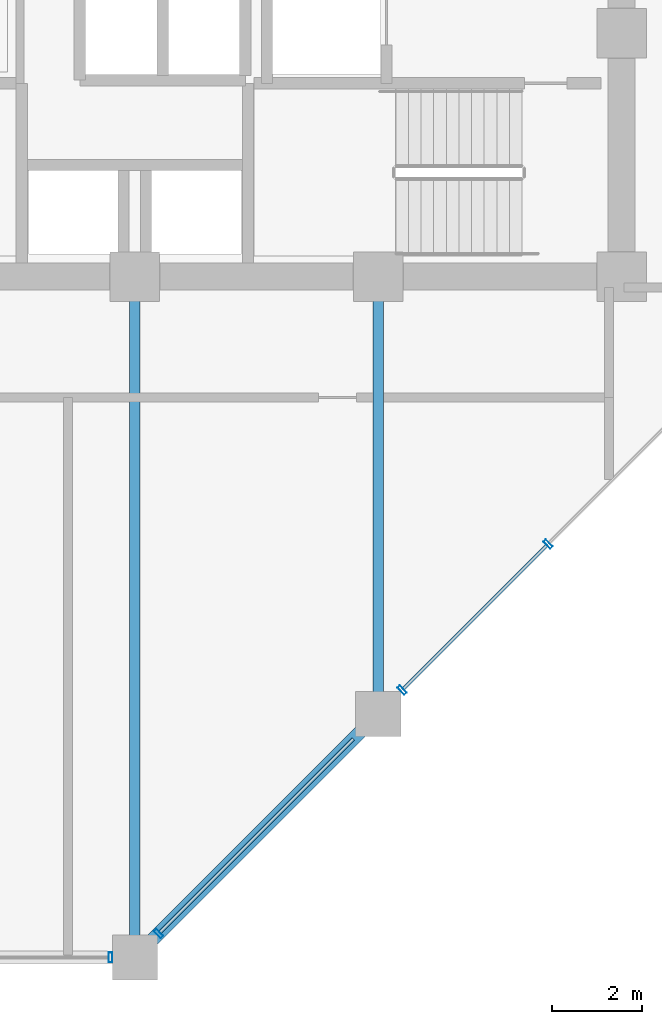
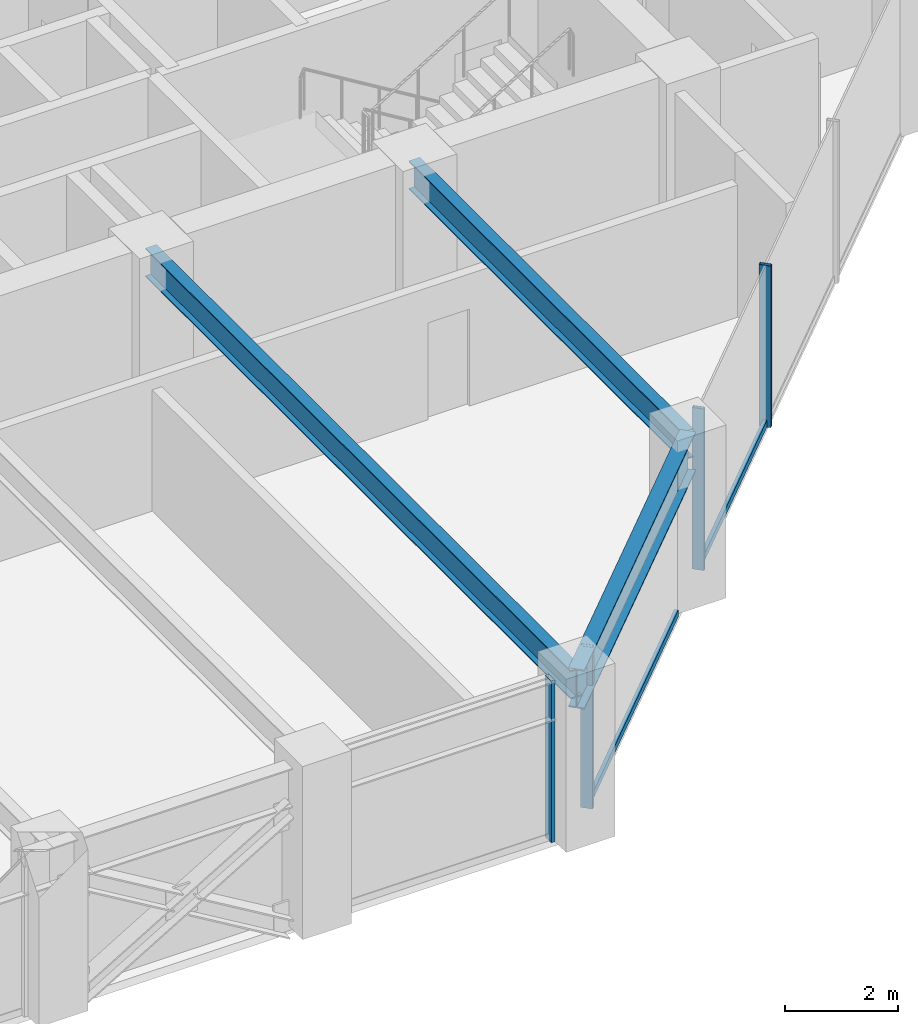
# One storey, part 7 of 29: 6 members, 3 beams, 2 elements without a shape of their own.
"""IFC4 building model written with IfcOpenShell, lengths in metres."""

from ifc_helpers import new_model, si_unit, direction, frame, origin, origin_2d, place, context, subcontext, project, spatial, hollow_rectangle, i_section, extrude, material, layer, layer_set, material_profile, profile_set, type_object, element, aggregate, save


model = new_model("IFC4")

# Units and contexts
model_context = context("Model", 3, precision=1e-05, world=origin(), true_north=direction((0.0, 1.0)))
body_context = subcontext(model_context, "Body", "Model", "MODEL_VIEW")
ifc_project = project(units=[si_unit("LENGTHUNIT", "METRE"), si_unit("AREAUNIT", "SQUARE_METRE"), si_unit("VOLUMEUNIT", "CUBIC_METRE"), si_unit("PLANEANGLEUNIT", "RADIAN"), si_unit("MASSUNIT", "GRAM", prefix="KILO")], contexts=[model_context])

# Site, building, storey
site_placement = place(None, origin())
site = spatial("IfcSite", under=ifc_project, at=site_placement, CompositionType="ELEMENT")
building_placement = place(site_placement, origin())
building = spatial("IfcBuilding", under=site, at=building_placement, Name="Surkhivell Harbour Commons", CompositionType="ELEMENT")
storey_placement = place(building_placement, frame((0.0, 0.0, 158.25)))
storey = spatial("IfcBuildingStorey", under=building, at=storey_placement, Name="L41", CompositionType="ELEMENT", Elevation=158.25)

# Beams
ifc_material_1 = material(Name="Steel S355", Category="steel")
ifc_material_profile_1 = material_profile(ifc_material_1, i_section(OverallWidth=0.22998046875, OverallDepth=0.616943359375, WebThickness=0.01318359375, FlangeThickness=0.022216796875, at=origin_2d()), Name="UB610x229x140")
ifc_profile_set_1 = profile_set([ifc_material_profile_1], Name="Steel S355")
beam_type_1 = type_object("IfcBeamType", Name="BM-GRD-610B", PredefinedType="BEAM", material=ifc_profile_set_1)
beam_1_placement = place(storey_placement, frame((0.0, -25.89990234375, 3.19140625), z_axis=(0.0, 1.0, 0.0), x_axis=(-1.0, 0.0, 0.0)))
element("IfcBeam", 1, at=beam_1_placement, inside=storey, type_object=beam_type_1, Name="L41 Floor Girder (0.0,-25.9)", PredefinedType="BEAM", context=body_context, shape_type="SweptSolid", body=[
    extrude(i_section(OverallWidth=0.22998046875, OverallDepth=0.616943359375, WebThickness=0.01318359375, FlangeThickness=0.022216796875, at=origin_2d()), origin(), (0.0, 0.0, 1.0), 15.099853515625),
])
beam_2_placement = place(storey_placement, frame((5.39990234375, -20.5, 3.19140625), z_axis=(0.0, 1.0, 0.0), x_axis=(-1.0, 0.0, 0.0)))
element("IfcBeam", 2, at=beam_2_placement, inside=storey, type_object=beam_type_1, Name="L41 Floor Girder (5.4,-20.5)", PredefinedType="BEAM", context=body_context, shape_type="SweptSolid", body=[
    extrude(i_section(OverallWidth=0.22998046875, OverallDepth=0.616943359375, WebThickness=0.01318359375, FlangeThickness=0.022216796875, at=origin_2d()), origin(), (0.0, 0.0, 1.0), 9.699951171875),
])
ifc_material_2 = material(Name="Steel S460", Category="steel")
ifc_material_profile_2 = material_profile(ifc_material_2, i_section(OverallWidth=0.2939453125, OverallDepth=0.85107421875, WebThickness=0.01611328125, FlangeThickness=0.02685546875, at=origin_2d()), Name="UB838x292x226")
ifc_profile_set_2 = profile_set([ifc_material_profile_2], Name="Steel S460")
beam_type_2 = type_object("IfcBeamType", Name="BM-SPN-838", PredefinedType="SPANDREL", material=ifc_profile_set_2)
beam_3_placement = place(storey_placement, frame((0.0, -25.89990234375, 3.074462890625), z_axis=(0.707106781187, 0.707106781187, 0.0), x_axis=(-0.707106781187, 0.707106781187, 0.0)))
element("IfcBeam", 3, at=beam_3_placement, inside=storey, type_object=beam_type_2, Name="L41 Tube Spandrel (-0.0,-25.9)", PredefinedType="SPANDREL", context=body_context, shape_type="SweptSolid", body=[
    extrude(i_section(OverallWidth=0.2939453125, OverallDepth=0.85107421875, WebThickness=0.01611328125, FlangeThickness=0.02685546875, at=origin_2d()), origin(), (0.0, 0.0, 1.0), 7.63671875),
])

# Curtain wall, member
ifc_material_3 = material(Name="Anodised pale-metal aluminium and insulated glazing", Category="aluminium")
ifc_layer = layer(ifc_material_3, 0.205078125)
ifc_layer_set = layer_set([ifc_layer], Name="Anodised pale-metal aluminium and insulated glazing")
curtain_wall_type = type_object("IfcCurtainWallType", Name="CW-SYS-Z2", PredefinedType="NOTDEFINED", material=ifc_layer_set)
curtain_wall_1_placement = place(storey_placement, origin())
curtain_wall_1 = element("IfcCurtainWall", 4, at=curtain_wall_1_placement, inside=storey, type_object=curtain_wall_type, Name="L41 Curtain Wall CW-L41-E00S2", PredefinedType="NOTDEFINED")
ifc_material_4 = material(Name="Anodised pale-metal aluminium alloy 6063-T6", Category="aluminium")
ifc_material_profile_3 = material_profile(ifc_material_4, hollow_rectangle(XDim=0.074951171875, YDim=0.219970703125, WallThickness=0.00390625, at=origin_2d()), Name="ALU-MULL-75x220")
ifc_profile_set_3 = profile_set([ifc_material_profile_3], Name="Anodised pale-metal aluminium alloy 6063-T6")
member_type_1 = type_object("IfcMemberType", Name="CWM-220", PredefinedType="MULLION", material=ifc_profile_set_3)
member_1_placement = place(storey_placement, frame((-0.53955078125, -25.89990234375, 0.0), z_axis=(0.0, 0.0, 1.0), x_axis=(1.0, 0.0, 0.0)))
member_1 = element("IfcMember", 5, at=member_1_placement, type_object=member_type_1, Name="CW-Z2 mullion 2", PredefinedType="MULLION", context=body_context, shape_type="SweptSolid", body=[
    extrude(hollow_rectangle(XDim=0.074951171875, YDim=0.219970703125, WallThickness=0.00390625, at=origin_2d()), origin(), (0.0, 0.0, 1.0), 3.5),
])
aggregate(curtain_wall_1, [member_1])

# Curtain wall, members
curtain_wall_2_placement = place(storey_placement, origin())
curtain_wall_2 = element("IfcCurtainWall", 6, at=curtain_wall_2_placement, inside=storey, type_object=curtain_wall_type, Name="L41 Curtain Wall CW-L41-E01", PredefinedType="NOTDEFINED")
member_2_placement = place(storey_placement, frame((0.5283203125, -25.371826171875, 0.0), z_axis=(0.0, 0.0, 1.0), x_axis=(0.707106781187, 0.707106781187, 0.0)))
member_2 = element("IfcMember", 7, at=member_2_placement, type_object=member_type_1, Name="CW-Z2 mullion 1", PredefinedType="MULLION", context=body_context, shape_type="SweptSolid", body=[
    extrude(hollow_rectangle(XDim=0.074951171875, YDim=0.219970703125, WallThickness=0.00390625, at=origin_2d()), origin(), (0.0, 0.0, 1.0), 3.5),
])
member_3_placement = place(storey_placement, frame((5.92822265625, -19.9716796875, 0.0), z_axis=(0.0, 0.0, 1.0), x_axis=(0.707106781187, 0.707106781187, 0.0)))
member_3 = element("IfcMember", 8, at=member_3_placement, type_object=member_type_1, Name="CW-Z2 mullion 2", PredefinedType="MULLION", context=body_context, shape_type="SweptSolid", body=[
    extrude(hollow_rectangle(XDim=0.074951171875, YDim=0.219970703125, WallThickness=0.00390625, at=origin_2d()), origin(), (0.0, 0.0, 1.0), 3.5),
])
member_4_placement = place(storey_placement, frame((9.167236328125, -16.732666015625, 0.0), z_axis=(0.0, 0.0, 1.0), x_axis=(0.707106781187, 0.707106781187, 0.0)))
member_4 = element("IfcMember", 9, at=member_4_placement, type_object=member_type_1, Name="CW-Z2 mullion 3", PredefinedType="MULLION", context=body_context, shape_type="SweptSolid", body=[
    extrude(hollow_rectangle(XDim=0.074951171875, YDim=0.219970703125, WallThickness=0.00390625, at=origin_2d()), origin(), (0.0, 0.0, 1.0), 3.5),
])
ifc_material_profile_4 = material_profile(ifc_material_4, hollow_rectangle(XDim=0.074951171875, YDim=0.14990234375, WallThickness=0.00341796875, at=origin_2d()), Name="ALU-TRAN-75x150")
ifc_profile_set_4 = profile_set([ifc_material_profile_4], Name="Anodised pale-metal aluminium alloy 6063-T6")
member_type_2 = type_object("IfcMemberType", Name="CWT-150", PredefinedType="USERDEFINED", material=ifc_profile_set_4)
member_5_placement = place(storey_placement, frame((0.5546875, -25.34521484375, 0.074951171875), z_axis=(0.707106781187, 0.707106781187, 0.0), x_axis=(-0.707106781187, 0.707106781187, 0.0)))
member_5 = element("IfcMember", 10, at=member_5_placement, type_object=member_type_2, Name="CW-Z2 transom 1.1", ObjectType="TRANSOM", PredefinedType="USERDEFINED", context=body_context, shape_type="SweptSolid", body=[
    extrude(hollow_rectangle(XDim=0.074951171875, YDim=0.14990234375, WallThickness=0.00341796875, at=origin_2d()), origin(), (0.0, 0.0, 1.0), 6.067626953125),
])
member_6_placement = place(storey_placement, frame((5.954833984375, -19.9453125, 0.074951171875), z_axis=(0.707079687416, 0.707133873919, 0.0), x_axis=(-0.707133873919, 0.707079687416, 0.0)))
member_6 = element("IfcMember", 11, at=member_6_placement, type_object=member_type_2, Name="CW-Z2 transom 2.1", ObjectType="TRANSOM", PredefinedType="USERDEFINED", context=body_context, shape_type="SweptSolid", body=[
    extrude(hollow_rectangle(XDim=0.074951171875, YDim=0.14990234375, WallThickness=0.00341796875, at=origin_2d()), origin(), (0.0, 0.0, 1.0), 4.505615234375),
])
aggregate(curtain_wall_2, [member_2, member_5, member_3, member_4, member_6])

save(model, "model.ifc")
